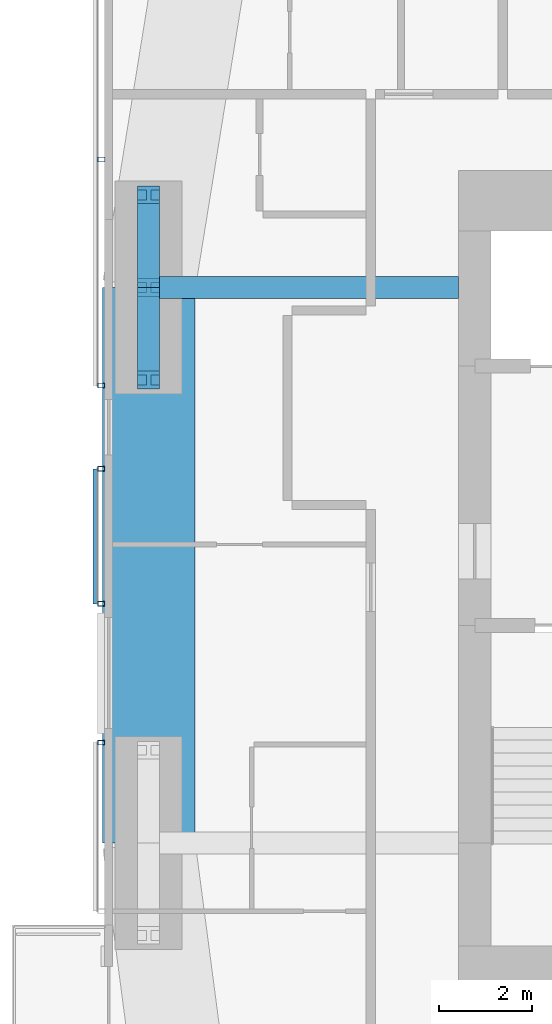
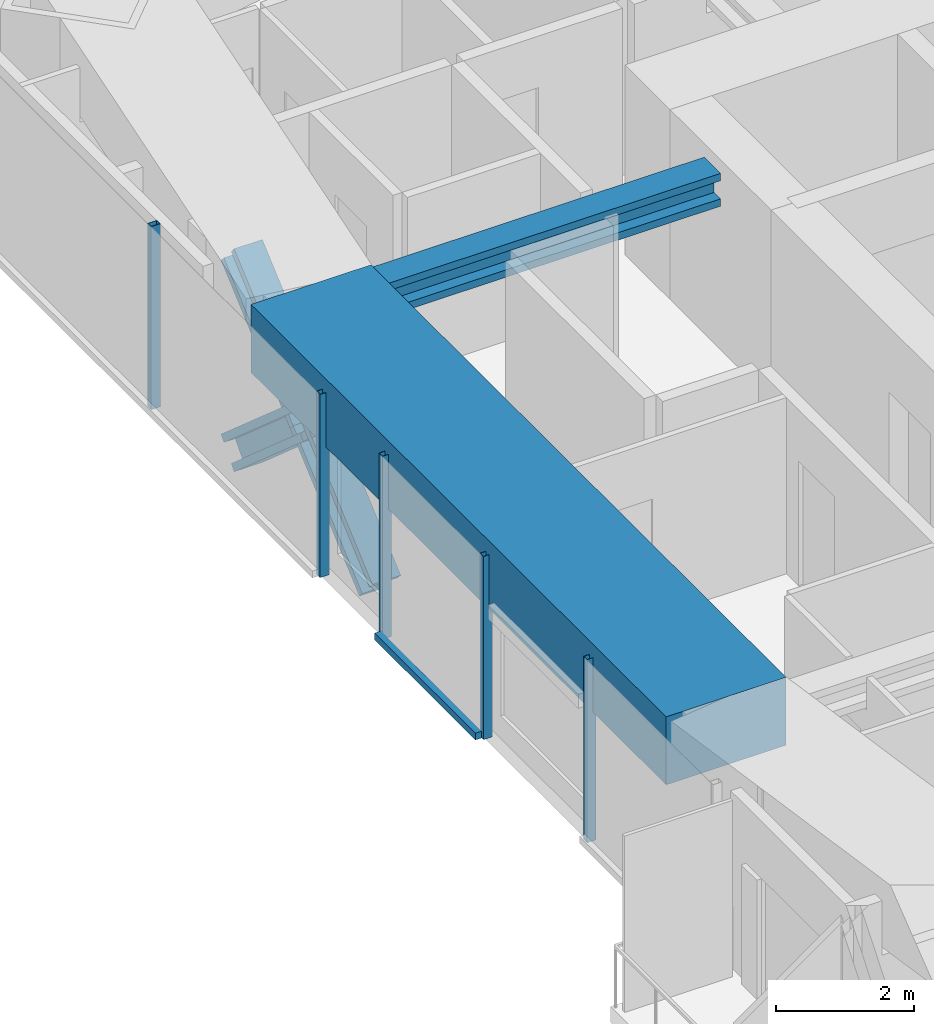
# One storey, part 5 of 22: 10 members, 2 beams, 3 elements without a shape of their own.
"""IFC4 building model written with IfcOpenShell, lengths in metres."""

from ifc_helpers import new_model, si_unit, direction, frame, origin, origin_2d, place, context, subcontext, project, spatial, rectangle, hollow_rectangle, i_section, extrude, material, material_profile, profile_set, type_object, element, aggregate, save


model = new_model("IFC4")

# Units and contexts
model_context = context("Model", 3, precision=1e-05, world=origin(), true_north=direction((0.0, 1.0)))
body_context = subcontext(model_context, "Body", "Model", "MODEL_VIEW")
ifc_project = project(units=[si_unit("LENGTHUNIT", "METRE"), si_unit("AREAUNIT", "SQUARE_METRE"), si_unit("VOLUMEUNIT", "CUBIC_METRE"), si_unit("PLANEANGLEUNIT", "RADIAN"), si_unit("MASSUNIT", "GRAM", prefix="KILO")], contexts=[model_context])

# Site, building, storey
site_placement = place(None, origin())
site = spatial("IfcSite", under=ifc_project, at=site_placement, CompositionType="ELEMENT")
building_placement = place(site_placement, origin())
building = spatial("IfcBuilding", under=site, at=building_placement, Name="Jalousie Tower", CompositionType="ELEMENT")
storey_placement = place(building_placement, frame((0.0, 0.0, 154.35009765625)))
storey = spatial("IfcBuildingStorey", under=building, at=storey_placement, Name="L41", CompositionType="ELEMENT", Elevation=154.35009765625)

# Beam
ifc_material_1 = material(Name="Steel ASTM A992 Grade 50", Category="steel")
ifc_material_profile_1 = material_profile(ifc_material_1, i_section(OverallWidth=0.472412109375, OverallDepth=0.5791015625, WebThickness=0.094970703125, FlangeThickness=0.1298828125, at=origin_2d()), Name="W14X808")
ifc_profile_set_1 = profile_set([ifc_material_profile_1], Name="Steel ASTM A992 Grade 50")
beam_type_1 = type_object("IfcBeamType", Name="LEAN COLLECTOR W14X808", PredefinedType="BEAM", material=ifc_profile_set_1)
beam_1_placement = place(storey_placement, frame((12.949951171875, 25.0, 2.8203125), z_axis=(1.0, 0.0, 0.0), x_axis=(0.0, 1.0, 0.0)))
element("IfcBeam", 1, at=beam_1_placement, inside=storey, type_object=beam_type_1, Name="Lean collector under L42", PredefinedType="BEAM", context=body_context, shape_type="SweptSolid", body=[
    extrude(i_section(OverallWidth=0.472412109375, OverallDepth=0.5791015625, WebThickness=0.094970703125, FlangeThickness=0.1298828125, at=origin_2d()), origin(), (0.0, 0.0, 1.0), 6.699951171875),
])

# Members
ifc_material_2 = material(Name="Steel ASTM A992 Grade 50", Category="steel")
ifc_material_profile_2 = material_profile(ifc_material_2, i_section(OverallWidth=0.472412109375, OverallDepth=0.5791015625, WebThickness=0.094970703125, FlangeThickness=0.1298828125, at=origin_2d()), Name="W14X808")
ifc_profile_set_2 = profile_set([ifc_material_profile_2], Name="Steel ASTM A992 Grade 50")
member_type_1 = type_object("IfcMemberType", Name="PERIMETER BRACE W14X808", PredefinedType="BRACE", material=ifc_profile_set_2)
for number, where, z_axis, x_axis, name in (
    (2, (12.949951171875, 23.0, -0.75), (0.0, 0.752576694707, 0.658504607869), (-1.0, 0.0, 0.0), "Perimeter brace 13 L41 part 1"),
    (3, (12.949951171875, 25.0, 1.0), (0.0, 0.752576694707, 0.658504607869), (-1.0, 0.0, 0.0), "Perimeter brace 13 L41 part 2"),
    (4, (12.949951171875, 27.0, -0.75), (0.0, -0.752576694707, 0.658504607869), (1.0, 0.0, 0.0), "Perimeter brace 13 L41 part 3"),
    (5, (12.949951171875, 25.0, 1.0), (0.0, -0.752576694707, 0.658504607869), (1.0, 0.0, 0.0), "Perimeter brace 13 L41 part 4"),
):
    element("IfcMember", number, at=place(storey_placement, frame(where, z_axis=z_axis, x_axis=x_axis)), inside=storey, type_object=member_type_1, Name=name, PredefinedType="BRACE", context=body_context, shape_type="SweptSolid", body=[
        extrude(i_section(OverallWidth=0.472412109375, OverallDepth=0.5791015625, WebThickness=0.094970703125, FlangeThickness=0.1298828125, at=origin_2d()), origin(), (0.0, 0.0, 1.0), 2.657470703125),
    ])

# Beam
ifc_material_3 = material(Name="Concrete f'c 40 MPa", Category="concrete")
ifc_material_profile_3 = material_profile(ifc_material_3, rectangle(XDim=2.0, YDim=1.199951171875, at=origin_2d()), Name="RC 2000x1200")
ifc_profile_set_3 = profile_set([ifc_material_profile_3], Name="Concrete f'c 40 MPa")
beam_type_2 = type_object("IfcBeamType", Name="RC BEAM 2000x1200", PredefinedType="BEAM", material=ifc_profile_set_3)
beam_2_placement = place(storey_placement, frame((12.949951171875, 25.0, 2.75), z_axis=(0.0, -1.0, 0.0), x_axis=(1.0, 0.0, 0.0)))
element("IfcBeam", 6, at=beam_2_placement, inside=storey, type_object=beam_type_2, Name="Edge band beam 13-14 under L42", PredefinedType="BEAM", context=body_context, shape_type="SweptSolid", body=[
    extrude(rectangle(XDim=2.0, YDim=1.199951171875, at=origin_2d()), origin(), (0.0, 0.0, 1.0), 12.0),
])

# Curtain wall, members
ifc_material_4 = material(Name="Perforated aluminium sheet", Category="aluminium")
curtain_wall_type = type_object("IfcCurtainWallType", Name="SOLAR SCREEN SS-1", PredefinedType="USERDEFINED", material=ifc_material_4)
curtain_wall_1_placement = place(storey_placement, origin())
curtain_wall_1 = element("IfcCurtainWall", 7, at=curtain_wall_1_placement, inside=storey, type_object=curtain_wall_type, Name="Solar screen L41", ObjectType="SOLAR SCREEN SS-1", PredefinedType="USERDEFINED")
ifc_material_5 = material(Name="Steel ASTM A500 Grade C", Category="steel")
ifc_material_profile_4 = material_profile(ifc_material_5, hollow_rectangle(XDim=0.1015625, YDim=0.15234375, WallThickness=0.00634765625, at=origin_2d()), Name="HSS6X4X1/4")
ifc_profile_set_4 = profile_set([ifc_material_profile_4], Name="Steel ASTM A500 Grade C")
member_type_2 = type_object("IfcMemberType", Name="SOLAR SCREEN SS-1 MULLION", PredefinedType="MULLION", material=ifc_profile_set_4)
member_1_placement = place(storey_placement, frame((11.9287109375, 27.765380859375, -0.1201171875), z_axis=(0.0, 0.0, 1.0), x_axis=(0.0, -1.0, 0.0)))
member_1 = element("IfcMember", 8, at=member_1_placement, type_object=member_type_2, Name="SS1 post 2", PredefinedType="MULLION", context=body_context, shape_type="SweptSolid", body=[
    extrude(hollow_rectangle(XDim=0.1015625, YDim=0.15234375, WallThickness=0.00634765625, at=origin_2d()), origin(), (0.0, 0.0, 1.0), 3.22998046875),
])
member_2_placement = place(storey_placement, frame((11.9287109375, 22.8818359375, -0.1201171875), z_axis=(0.0, 0.0, 1.0), x_axis=(0.0, -1.0, 0.0)))
member_2 = element("IfcMember", 9, at=member_2_placement, type_object=member_type_2, Name="SS1 post 3", PredefinedType="MULLION", context=body_context, shape_type="SweptSolid", body=[
    extrude(hollow_rectangle(XDim=0.1015625, YDim=0.15234375, WallThickness=0.00634765625, at=origin_2d()), origin(), (0.0, 0.0, 1.0), 3.22998046875),
])
aggregate(curtain_wall_1, [member_1, member_2])

curtain_wall_2_placement = place(storey_placement, origin())
curtain_wall_2 = element("IfcCurtainWall", 10, at=curtain_wall_2_placement, inside=storey, type_object=curtain_wall_type, Name="Solar screen L41", ObjectType="SOLAR SCREEN SS-1", PredefinedType="USERDEFINED")
member_3_placement = place(storey_placement, frame((11.9287109375, 21.081787109375, -0.1201171875), z_axis=(0.0, 0.0, 1.0), x_axis=(0.0, -1.0, 0.0)))
member_3 = element("IfcMember", 11, at=member_3_placement, type_object=member_type_2, Name="SS1 post 1", PredefinedType="MULLION", context=body_context, shape_type="SweptSolid", body=[
    extrude(hollow_rectangle(XDim=0.1015625, YDim=0.15234375, WallThickness=0.00634765625, at=origin_2d()), origin(), (0.0, 0.0, 1.0), 3.22998046875),
])
member_4_placement = place(storey_placement, frame((11.9287109375, 18.166015625, -0.1201171875), z_axis=(0.0, 0.0, 1.0), x_axis=(0.0, -1.0, 0.0)))
member_4 = element("IfcMember", 12, at=member_4_placement, type_object=member_type_2, Name="SS1 post 2", PredefinedType="MULLION", context=body_context, shape_type="SweptSolid", body=[
    extrude(hollow_rectangle(XDim=0.1015625, YDim=0.15234375, WallThickness=0.00634765625, at=origin_2d()), origin(), (0.0, 0.0, 1.0), 3.22998046875),
])

# Curtain wall, member
curtain_wall_3_placement = place(storey_placement, origin())
curtain_wall_3 = element("IfcCurtainWall", 13, at=curtain_wall_3_placement, inside=storey, type_object=curtain_wall_type, Name="Solar screen L41", ObjectType="SOLAR SCREEN SS-1", PredefinedType="USERDEFINED")
member_5_placement = place(storey_placement, frame((11.9287109375, 15.166015625, -0.1201171875), z_axis=(0.0, 0.0, 1.0), x_axis=(0.0, -1.0, 0.0)))
member_5 = element("IfcMember", 14, at=member_5_placement, type_object=member_type_2, Name="SS1 post 1", PredefinedType="MULLION", context=body_context, shape_type="SweptSolid", body=[
    extrude(hollow_rectangle(XDim=0.1015625, YDim=0.15234375, WallThickness=0.00634765625, at=origin_2d()), origin(), (0.0, 0.0, 1.0), 3.22998046875),
])
aggregate(curtain_wall_3, [member_5])

# Member
ifc_material_6 = material(Name="Extruded aluminium screen rail", Category="aluminium")
ifc_material_profile_5 = material_profile(ifc_material_6, rectangle(XDim=0.1015625, YDim=0.1201171875, at=origin_2d()), Name="RAIL 102x120")
ifc_profile_set_5 = profile_set([ifc_material_profile_5], Name="Extruded aluminium screen rail")
member_type_3 = type_object("IfcMemberType", Name="SOLAR SCREEN SS-1 TRANSOM", PredefinedType="USERDEFINED", material=ifc_profile_set_5)
member_6_placement = place(storey_placement, frame((11.8017578125, 21.081787109375, -0.06005859375), z_axis=(0.0, -1.0, 0.0), x_axis=(1.0, 0.0, 0.0)))
member_6 = element("IfcMember", 15, at=member_6_placement, type_object=member_type_3, Name="SS1 rail", ObjectType="TRANSOM", PredefinedType="USERDEFINED", context=body_context, shape_type="SweptSolid", body=[
    extrude(rectangle(XDim=0.1015625, YDim=0.1201171875, at=origin_2d()), origin(), (0.0, 0.0, 1.0), 2.915771484375),
])

aggregate(curtain_wall_2, [member_3, member_4, member_6])

save(model, "model.ifc")
